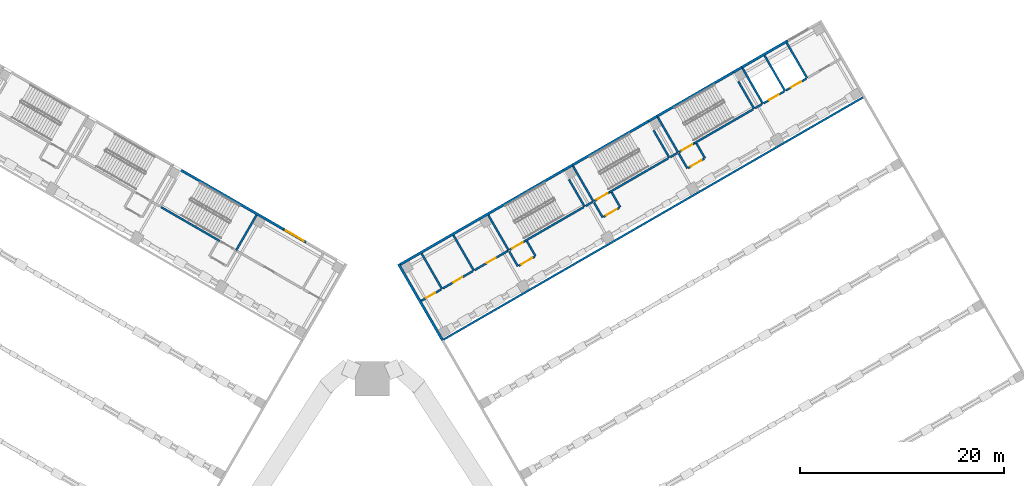
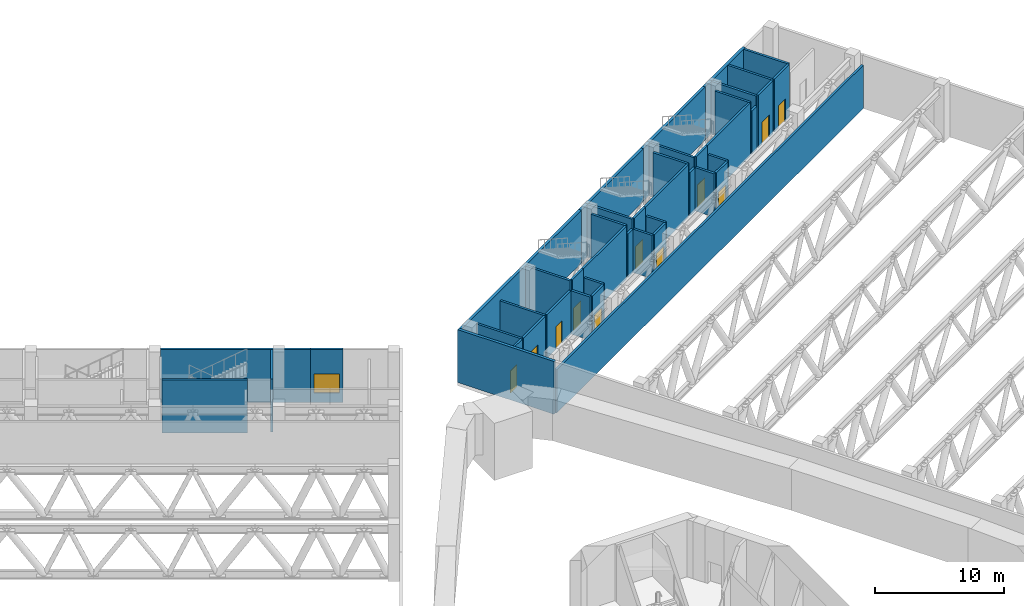
# One storey, part 21 of 37: 47 walls, 11 doors, 1 window, 12 openings.
"""IFC4 building model written with IfcOpenShell, lengths in metres."""

from ifc_helpers import new_model, si_unit, direction, frame, frame_2d, origin, place, context, subcontext, project, spatial, rectangle, extrude, material, layer, layer_set, type_object, element, fill, save


model = new_model("IFC4")

# Units and contexts
model_context = context("Model", 3, precision=1e-05, world=origin(), true_north=direction((0.0, 1.0)))
body_context = subcontext(model_context, "Body", "Model", "MODEL_VIEW")
ifc_project = project(units=[si_unit("LENGTHUNIT", "METRE"), si_unit("AREAUNIT", "SQUARE_METRE"), si_unit("VOLUMEUNIT", "CUBIC_METRE"), si_unit("PLANEANGLEUNIT", "RADIAN"), si_unit("MASSUNIT", "GRAM", prefix="KILO")], contexts=[model_context])

# Site, building, storey
site_placement = place(None, origin())
site = spatial("IfcSite", under=ifc_project, at=site_placement, CompositionType="ELEMENT")
building_placement = place(site_placement, origin())
building = spatial("IfcBuilding", under=site, at=building_placement, Name="Mestral Congress Tower", CompositionType="ELEMENT")
storey_placement = place(building_placement, frame((0.0, 0.0, 16.199951171875)))
storey = spatial("IfcBuildingStorey", under=building, at=storey_placement, Name="L03", CompositionType="ELEMENT", Elevation=16.199951171875)

# Walls
ifc_material_1 = material(Name="Precast concrete C40/50 with limestone facing", Category="masonry")
ifc_layer_1 = layer(ifc_material_1, 0.25)
ifc_layer_set_1 = layer_set([ifc_layer_1], Name="Precast concrete C40/50 with limestone facing")
wall_type_1 = type_object("IfcWallType", Name="Podium external wall 250", PredefinedType="SOLIDWALL", material=ifc_layer_set_1)
wall_1_placement = place(storey_placement, frame((6.875, 40.197998046875, 0.0), z_axis=(0.0, 0.0, 1.0), x_axis=(-0.499999331568, 0.866025789703, 0.0)))
element("IfcWall", 1, at=wall_1_placement, inside=storey, type_object=wall_type_1, Name="L03 external wall", PredefinedType="SOLIDWALL", context=body_context, shape_type="SweptSolid", body=[
    extrude(rectangle(XDim=8.625, YDim=0.25, at=frame_2d((4.3125, 0.0))), origin(), (0.0, 0.0, 1.0), 5.0),
])
wall_2_placement = place(storey_placement, frame((2.7333984375, 47.621826171875, 0.0), z_axis=(0.0, 0.0, 1.0), x_axis=(0.866025598446, 0.499999662836, 0.0)))
element("IfcWall", 2, at=wall_2_placement, inside=storey, type_object=wall_type_1, Name="L03 external wall", PredefinedType="SOLIDWALL", context=body_context, shape_type="SweptSolid", body=[
    extrude(rectangle(XDim=18.5, YDim=0.25, at=frame_2d((9.25, 0.0))), origin(), (0.0, 0.0, 1.0), 5.0),
])
wall_3_placement = place(storey_placement, frame((19.620849609375, 57.371826171875, 0.0), z_axis=(0.0, 0.0, 1.0), x_axis=(0.866021068297, 0.500007509209, 0.0)))
element("IfcWall", 3, at=wall_3_placement, inside=storey, type_object=wall_type_1, Name="L03 external wall", PredefinedType="SOLIDWALL", context=body_context, shape_type="SweptSolid", body=[
    extrude(rectangle(XDim=8.599853515625, YDim=0.25, at=frame_2d((4.2998046875, 0.0))), origin(), (0.0, 0.0, 1.0), 5.0),
])
wall_4_placement = place(storey_placement, frame((27.9345703125, 62.171875, 0.0), z_axis=(0.0, 0.0, 1.0), x_axis=(0.86604045752, 0.499973925258, 0.0)))
element("IfcWall", 4, at=wall_4_placement, inside=storey, type_object=wall_type_1, Name="L03 external wall", PredefinedType="SOLIDWALL", context=body_context, shape_type="SweptSolid", body=[
    extrude(rectangle(XDim=8.60009765625, YDim=0.25, at=frame_2d((4.300048828125, 0.0))), origin(), (0.0, 0.0, 1.0), 5.0),
])
wall_5_placement = place(storey_placement, frame((36.24853515625, 66.9716796875, 0.0), z_axis=(0.0, 0.0, 1.0), x_axis=(0.866009661879, 0.500027264788, 0.0)))
element("IfcWall", 5, at=wall_5_placement, inside=storey, type_object=wall_type_1, Name="L03 external wall", PredefinedType="SOLIDWALL", context=body_context, shape_type="SweptSolid", body=[
    extrude(rectangle(XDim=5.199951171875, YDim=0.25, at=frame_2d((2.60009765625, 0.0))), origin(), (0.0, 0.0, 1.0), 5.0),
])
for number, where, z_axis, x_axis, name in (
    (6, (18.7548828125, 56.871826171875, 0.0), (0.0, 0.0, 1.0), (0.866010750942, 0.50002537861, 0.0), "L03 external wall"),
    (7, (27.068603515625, 61.671875, 0.0), (0.0, 0.0, 1.0), (0.866010750942, 0.50002537861, 0.0), "L03 external wall"),
    (8, (35.382568359375, 66.4716796875, 0.0), (0.0, 0.0, 1.0), (0.866010750942, 0.50002537861, 0.0), "L03 external wall"),
):
    element("IfcWall", number, at=place(storey_placement, frame(where, z_axis=z_axis, x_axis=x_axis)), inside=storey, type_object=wall_type_1, Name=name, PredefinedType="SOLIDWALL", context=body_context, shape_type="SweptSolid", body=[
        extrude(rectangle(XDim=1.0, YDim=0.25, at=frame_2d((0.5, 0.0))), origin(), (0.0, 0.0, 1.0), 5.0),
    ])

# Wall, opening, window
wall_6_placement = place(storey_placement, frame((-8.687255859375, 51.05908203125, 0.0), z_axis=(0.0, 0.0, 1.0), x_axis=(0.866022959057, -0.500004234368, 0.0)))
wall_6 = element("IfcWall", 9, at=wall_6_placement, inside=storey, type_object=wall_type_1, Name="L03 external wall", PredefinedType="SOLIDWALL", context=body_context, shape_type="SweptSolid", body=[
    extrude(rectangle(XDim=2.5, YDim=0.25, at=frame_2d((1.25, 0.0))), origin(), (0.0, 0.0, 1.0), 5.0),
])
opening_1_placement = place(wall_6_placement, frame((0.25, 0.0, 0.89990234375)))
opening_1 = element("IfcOpeningElement", 10, at=opening_1_placement, cuts=wall_6, Name="Opening PW-2000x1800", PredefinedType="OPENING", context=body_context, shape_type="SweptSolid", body=[
    extrude(rectangle(XDim=2.0, YDim=1.800048828125, at=frame_2d((1.0, 0.89990234375))), frame((0.0, 0.135009765625, 0.0), z_axis=(0.0, -1.0, 0.0), x_axis=(1.0, 0.0, 0.0)), (0.0, 0.0, 1.0), 0.27001953125),
])
ifc_material_2 = material(Name="Aluminium frame, clear double glazing", Category="aluminium")
window_type = type_object("IfcWindowType", Name="Podium window 2000x1800 sill 900", PartitioningType="SINGLE_PANEL", PredefinedType="WINDOW", material=ifc_material_2)
window_placement = place(opening_1_placement, origin())
window = element("IfcWindow", 11, at=window_placement, inside=storey, type_object=window_type, Name="Window", OverallHeight=1.800048828125, OverallWidth=2.0, PartitioningType="SINGLE_PANEL", PredefinedType="WINDOW", context=body_context, shape_type="SweptSolid", body=[
    extrude(rectangle(XDim=2.0, YDim=1.800048828125, at=frame_2d((1.0, 0.89990234375))), frame((0.0, 0.030029296875, 0.0), z_axis=(0.0, -1.0, 0.0), x_axis=(1.0, 0.0, 0.0)), (0.0, 0.0, 1.0), 0.06005859375),
])
fill(opening_1, window)

# Walls
wall_7_placement = place(storey_placement, frame((-18.7548828125, 56.87158203125, 0.0), z_axis=(0.0, 0.0, 1.0), x_axis=(0.866027159341, -0.499996959274, 0.0)))
element("IfcWall", 12, at=wall_7_placement, inside=storey, type_object=wall_type_1, Name="L03 external wall", PredefinedType="SOLIDWALL", context=body_context, shape_type="SweptSolid", body=[
    extrude(rectangle(XDim=11.625, YDim=0.25, at=frame_2d((5.8125, 0.0))), origin(), (0.0, 0.0, 1.0), 5.0),
])
ifc_material_3 = material(Name="Masonry block wall", Category="masonry")
ifc_layer_2 = layer(ifc_material_3, 0.199951171875)
ifc_layer_set_2 = layer_set([ifc_layer_2], Name="Masonry block wall")
wall_type_2 = type_object("IfcWallType", Name="Podium stair enclosure wall 200 EI 120 load-bearing", PredefinedType="SOLIDWALL", material=ifc_layer_set_2)
wall_8_placement = place(storey_placement, frame((13.369384765625, 48.99951171875, 0.0), z_axis=(0.0, 0.0, 1.0), x_axis=(-0.50002537861, 0.866010750942, 0.0)))
element("IfcWall", 13, at=wall_8_placement, inside=storey, type_object=wall_type_2, Name="L03 partition", PredefinedType="SOLIDWALL", context=body_context, shape_type="SweptSolid", body=[
    extrude(rectangle(XDim=3.999755859375, YDim=0.199951171875, at=frame_2d((2.0, 0.0))), origin(), (0.0, 0.0, 1.0), 5.0),
])
wall_9_placement = place(storey_placement, frame((20.8173828125, 53.29931640625, 0.0), z_axis=(0.0, 0.0, 1.0), x_axis=(-0.49999285859, 0.86602952684, 0.0)))
element("IfcWall", 14, at=wall_9_placement, inside=storey, type_object=wall_type_2, Name="L03 partition", PredefinedType="SOLIDWALL", context=body_context, shape_type="SweptSolid", body=[
    extrude(rectangle(XDim=3.10009765625, YDim=0.199951171875, at=frame_2d((1.550048828125, 0.0))), origin(), (0.0, 0.0, 1.0), 5.0),
])
wall_10_placement = place(storey_placement, frame((21.683349609375, 53.79931640625, 0.0), z_axis=(0.0, 0.0, 1.0), x_axis=(-0.49999894854, 0.866026010844, 0.0)))
element("IfcWall", 15, at=wall_10_placement, inside=storey, type_object=wall_type_2, Name="L03 partition", PredefinedType="SOLIDWALL", context=body_context, shape_type="SweptSolid", body=[
    extrude(rectangle(XDim=4.0, YDim=0.199951171875, at=frame_2d((2.0, 0.0))), origin(), (0.0, 0.0, 1.0), 5.0),
])
wall_11_placement = place(storey_placement, frame((29.131103515625, 58.099365234375, 0.0), z_axis=(0.0, 0.0, 1.0), x_axis=(-0.49999285859, 0.86602952684, 0.0)))
element("IfcWall", 16, at=wall_11_placement, inside=storey, type_object=wall_type_2, Name="L03 partition", PredefinedType="SOLIDWALL", context=body_context, shape_type="SweptSolid", body=[
    extrude(rectangle(XDim=3.10009765625, YDim=0.199951171875, at=frame_2d((1.550048828125, 0.0))), origin(), (0.0, 0.0, 1.0), 5.0),
])
wall_12_placement = place(storey_placement, frame((29.9970703125, 58.599365234375, 0.0), z_axis=(0.0, 0.0, 1.0), x_axis=(-0.49999894854, 0.866026010844, 0.0)))
element("IfcWall", 17, at=wall_12_placement, inside=storey, type_object=wall_type_2, Name="L03 partition", PredefinedType="SOLIDWALL", context=body_context, shape_type="SweptSolid", body=[
    extrude(rectangle(XDim=4.0, YDim=0.199951171875, at=frame_2d((2.0, 0.0))), origin(), (0.0, 0.0, 1.0), 5.0),
])
wall_13_placement = place(storey_placement, frame((37.445068359375, 62.8994140625, 0.0), z_axis=(0.0, 0.0, 1.0), x_axis=(-0.500026960575, 0.86600983753, 0.0)))
element("IfcWall", 18, at=wall_13_placement, inside=storey, type_object=wall_type_2, Name="L03 partition", PredefinedType="SOLIDWALL", context=body_context, shape_type="SweptSolid", body=[
    extrude(rectangle(XDim=3.099853515625, YDim=0.199951171875, at=frame_2d((1.5498046875, 0.0))), origin(), (0.0, 0.0, 1.0), 5.0),
])

# Wall, opening, door
wall_14_placement = place(storey_placement, frame((13.4560546875, 49.04931640625, 0.0), z_axis=(0.0, 0.0, 1.0), x_axis=(0.866036909293, 0.499980071345, 0.0)))
wall_14 = element("IfcWall", 19, at=wall_14_placement, inside=storey, type_object=wall_type_2, Name="L03 partition", PredefinedType="SOLIDWALL", context=body_context, shape_type="SweptSolid", body=[
    extrude(rectangle(XDim=1.75, YDim=0.199951171875, at=frame_2d((0.875, 0.0))), origin(), (0.0, 0.0, 1.0), 5.0),
])
opening_2_placement = place(wall_14_placement, frame((0.300048828125, 0.0, 0.0)))
opening_2 = element("IfcOpeningElement", 20, at=opening_2_placement, cuts=wall_14, Name="Opening P03-004", PredefinedType="OPENING", context=body_context, shape_type="SweptSolid", body=[
    extrude(rectangle(XDim=1.199951171875, YDim=2.10009765625, at=frame_2d((0.60009765625, 1.050048828125))), frame((0.0, 0.10986328125, 0.0), z_axis=(0.0, -1.0, 0.0), x_axis=(1.0, 0.0, 0.0)), (0.0, 0.0, 1.0), 0.219970703125),
])
ifc_material_4 = material(Name="Fire-rated steel door set", Category="steel")
door_type_1 = type_object("IfcDoorType", Name="Podium stair door 1200x2100 EI2 30-C5", OperationType="SINGLE_SWING_LEFT", PredefinedType="DOOR", material=ifc_material_4)
door_1_placement = place(opening_2_placement, origin())
door_1 = element("IfcDoor", 21, at=door_1_placement, inside=storey, type_object=door_type_1, Name="Door P03-004", OperationType="SINGLE_SWING_LEFT", OverallHeight=2.10009765625, OverallWidth=1.199951171875, PredefinedType="DOOR", context=body_context, shape_type="SweptSolid", body=[
    extrude(rectangle(XDim=1.199951171875, YDim=2.10009765625, at=frame_2d((0.60009765625, 1.050048828125))), frame((0.0, 0.02490234375, 0.0), z_axis=(0.0, -1.0, 0.0), x_axis=(1.0, 0.0, 0.0)), (0.0, 0.0, 1.0), 0.050048828125),
])
fill(opening_2, door_1)

# Wall
wall_15_placement = place(storey_placement, frame((14.9716796875, 49.92431640625, 0.0), z_axis=(0.0, 0.0, 1.0), x_axis=(0.86601134256, 0.500024353964, 0.0)))
element("IfcWall", 22, at=wall_15_placement, inside=storey, type_object=wall_type_2, Name="L03 partition", PredefinedType="SOLIDWALL", context=body_context, shape_type="SweptSolid", body=[
    extrude(rectangle(XDim=6.650146484375, YDim=0.199951171875, at=frame_2d((3.3251953125, 0.0))), origin(), (0.0, 0.0, 1.0), 5.0),
])

# Wall, opening, door
wall_16_placement = place(storey_placement, frame((21.77001953125, 53.849365234375, 0.0), z_axis=(0.0, 0.0, 1.0), x_axis=(0.866002029911, 0.500040482552, 0.0)))
wall_16 = element("IfcWall", 23, at=wall_16_placement, inside=storey, type_object=wall_type_2, Name="L03 partition", PredefinedType="SOLIDWALL", context=body_context, shape_type="SweptSolid", body=[
    extrude(rectangle(XDim=1.749755859375, YDim=0.199951171875, at=frame_2d((0.875, 0.0))), origin(), (0.0, 0.0, 1.0), 5.0),
])
opening_3_placement = place(wall_16_placement, frame((0.300048828125, 0.0, 0.0)))
opening_3 = element("IfcOpeningElement", 24, at=opening_3_placement, cuts=wall_16, Name="Opening P03-005", PredefinedType="OPENING", context=body_context, shape_type="SweptSolid", body=[
    extrude(rectangle(XDim=1.199951171875, YDim=2.10009765625, at=frame_2d((0.60009765625, 1.050048828125))), frame((0.0, 0.10986328125, 0.0), z_axis=(0.0, -1.0, 0.0), x_axis=(1.0, 0.0, 0.0)), (0.0, 0.0, 1.0), 0.219970703125),
])
door_2_placement = place(opening_3_placement, origin())
door_2 = element("IfcDoor", 25, at=door_2_placement, inside=storey, type_object=door_type_1, Name="Door P03-005", OperationType="SINGLE_SWING_LEFT", OverallHeight=2.10009765625, OverallWidth=1.199951171875, PredefinedType="DOOR", context=body_context, shape_type="SweptSolid", body=[
    extrude(rectangle(XDim=1.199951171875, YDim=2.10009765625, at=frame_2d((0.60009765625, 1.050048828125))), frame((0.0, 0.02490234375, 0.0), z_axis=(0.0, -1.0, 0.0), x_axis=(1.0, 0.0, 0.0)), (0.0, 0.0, 1.0), 0.050048828125),
])
fill(opening_3, door_2)

# Wall
wall_17_placement = place(storey_placement, frame((23.285400390625, 54.724365234375, 0.0), z_axis=(0.0, 0.0, 1.0), x_axis=(0.866027239912, 0.49999681972, 0.0)))
element("IfcWall", 26, at=wall_17_placement, inside=storey, type_object=wall_type_2, Name="L03 partition", PredefinedType="SOLIDWALL", context=body_context, shape_type="SweptSolid", body=[
    extrude(rectangle(XDim=6.64990234375, YDim=0.199951171875, at=frame_2d((3.324951171875, 0.0))), origin(), (0.0, 0.0, 1.0), 5.0),
])

# Wall, opening, door
wall_18_placement = place(storey_placement, frame((30.083740234375, 58.6494140625, 0.0), z_axis=(0.0, 0.0, 1.0), x_axis=(0.866036909293, 0.499980071345, 0.0)))
wall_18 = element("IfcWall", 27, at=wall_18_placement, inside=storey, type_object=wall_type_2, Name="L03 partition", PredefinedType="SOLIDWALL", context=body_context, shape_type="SweptSolid", body=[
    extrude(rectangle(XDim=1.75, YDim=0.199951171875, at=frame_2d((0.875, 0.0))), origin(), (0.0, 0.0, 1.0), 5.0),
])
opening_4_placement = place(wall_18_placement, frame((0.300048828125, 0.0, 0.0)))
opening_4 = element("IfcOpeningElement", 28, at=opening_4_placement, cuts=wall_18, Name="Opening P03-006", PredefinedType="OPENING", context=body_context, shape_type="SweptSolid", body=[
    extrude(rectangle(XDim=1.199951171875, YDim=2.10009765625, at=frame_2d((0.60009765625, 1.050048828125))), frame((0.0, 0.10986328125, 0.0), z_axis=(0.0, -1.0, 0.0), x_axis=(1.0, 0.0, 0.0)), (0.0, 0.0, 1.0), 0.219970703125),
])
door_3_placement = place(opening_4_placement, origin())
door_3 = element("IfcDoor", 29, at=door_3_placement, inside=storey, type_object=door_type_1, Name="Door P03-006", OperationType="SINGLE_SWING_LEFT", OverallHeight=2.10009765625, OverallWidth=1.199951171875, PredefinedType="DOOR", context=body_context, shape_type="SweptSolid", body=[
    extrude(rectangle(XDim=1.199951171875, YDim=2.10009765625, at=frame_2d((0.60009765625, 1.050048828125))), frame((0.0, 0.02490234375, 0.0), z_axis=(0.0, -1.0, 0.0), x_axis=(1.0, 0.0, 0.0)), (0.0, 0.0, 1.0), 0.050048828125),
])
fill(opening_4, door_3)

# Walls
wall_19_placement = place(storey_placement, frame((31.599365234375, 59.5244140625, 0.0), z_axis=(0.0, 0.0, 1.0), x_axis=(0.866027239912, 0.49999681972, 0.0)))
element("IfcWall", 30, at=wall_19_placement, inside=storey, type_object=wall_type_2, Name="L03 partition", PredefinedType="SOLIDWALL", context=body_context, shape_type="SweptSolid", body=[
    extrude(rectangle(XDim=6.64990234375, YDim=0.199951171875, at=frame_2d((3.324951171875, 0.0))), origin(), (0.0, 0.0, 1.0), 5.0),
])
for number, where, z_axis, x_axis, name in (
    (31, (38.31103515625, 63.3994140625, 0.0), (0.0, 0.0, 1.0), (-0.49999894854, 0.866026010844, 0.0), "L03 partition"),
    (32, (40.47607421875, 64.6494140625, 0.0), (0.0, 0.0, 1.0), (-0.49999894854, 0.866026010844, 0.0), "L03 partition"),
    (33, (42.64111328125, 65.8994140625, 0.0), (0.0, 0.0, 1.0), (-0.49999894854, 0.866026010844, 0.0), "L03 partition"),
):
    element("IfcWall", number, at=place(storey_placement, frame(where, z_axis=z_axis, x_axis=x_axis)), inside=storey, type_object=wall_type_2, Name=name, PredefinedType="SOLIDWALL", context=body_context, shape_type="SweptSolid", body=[
        extrude(rectangle(XDim=4.0, YDim=0.199951171875, at=frame_2d((2.0, 0.0))), origin(), (0.0, 0.0, 1.0), 5.0),
    ])

# Wall, opening, door
wall_20_placement = place(storey_placement, frame((38.397705078125, 63.449462890625, 0.0), z_axis=(0.0, 0.0, 1.0), x_axis=(0.86602648383, 0.499998129301, 0.0)))
wall_20 = element("IfcWall", 34, at=wall_20_placement, inside=storey, type_object=wall_type_2, Name="L03 partition", PredefinedType="SOLIDWALL", context=body_context, shape_type="SweptSolid", body=[
    extrude(rectangle(XDim=2.2998046875, YDim=0.199951171875, at=frame_2d((1.14990234375, 0.0))), origin(), (0.0, 0.0, 1.0), 5.0),
])
opening_5_placement = place(wall_20_placement, frame((0.60009765625, 0.0, 0.0)))
opening_5 = element("IfcOpeningElement", 35, at=opening_5_placement, cuts=wall_20, Name="Opening P03-009", PredefinedType="OPENING", context=body_context, shape_type="SweptSolid", body=[
    extrude(rectangle(XDim=1.10009765625, YDim=2.10009765625, at=frame_2d((0.550048828125, 1.050048828125))), frame((0.0, 0.10986328125, 0.0), z_axis=(0.0, -1.0, 0.0), x_axis=(1.0, 0.0, 0.0)), (0.0, 0.0, 1.0), 0.219970703125),
])
door_type_2 = type_object("IfcDoorType", Name="Podium lift landing door 1100x2100 EI2 60-C5", OperationType="DOUBLE_DOOR_SLIDING", PredefinedType="DOOR", material=ifc_material_4)
door_4_placement = place(opening_5_placement, origin())
door_4 = element("IfcDoor", 36, at=door_4_placement, inside=storey, type_object=door_type_2, Name="Door P03-009", OperationType="DOUBLE_DOOR_SLIDING", OverallHeight=2.10009765625, OverallWidth=1.10009765625, PredefinedType="DOOR", context=body_context, shape_type="SweptSolid", body=[
    extrude(rectangle(XDim=1.10009765625, YDim=2.10009765625, at=frame_2d((0.550048828125, 1.050048828125))), frame((0.0, 0.02490234375, 0.0), z_axis=(0.0, -1.0, 0.0), x_axis=(1.0, 0.0, 0.0)), (0.0, 0.0, 1.0), 0.050048828125),
])
fill(opening_5, door_4)

wall_21_placement = place(storey_placement, frame((40.562744140625, 64.699462890625, 0.0), z_axis=(0.0, 0.0, 1.0), x_axis=(0.86602648383, 0.499998129301, 0.0)))
wall_21 = element("IfcWall", 37, at=wall_21_placement, inside=storey, type_object=wall_type_2, Name="L03 partition", PredefinedType="SOLIDWALL", context=body_context, shape_type="SweptSolid", body=[
    extrude(rectangle(XDim=2.2998046875, YDim=0.199951171875, at=frame_2d((1.14990234375, 0.0))), origin(), (0.0, 0.0, 1.0), 5.0),
])
opening_6_placement = place(wall_21_placement, frame((0.60009765625, 0.0, 0.0)))
opening_6 = element("IfcOpeningElement", 38, at=opening_6_placement, cuts=wall_21, Name="Opening P03-010", PredefinedType="OPENING", context=body_context, shape_type="SweptSolid", body=[
    extrude(rectangle(XDim=1.10009765625, YDim=2.10009765625, at=frame_2d((0.550048828125, 1.050048828125))), frame((0.0, 0.10986328125, 0.0), z_axis=(0.0, -1.0, 0.0), x_axis=(1.0, 0.0, 0.0)), (0.0, 0.0, 1.0), 0.219970703125),
])
door_5_placement = place(opening_6_placement, origin())
door_5 = element("IfcDoor", 39, at=door_5_placement, inside=storey, type_object=door_type_2, Name="Door P03-010", OperationType="DOUBLE_DOOR_SLIDING", OverallHeight=2.10009765625, OverallWidth=1.10009765625, PredefinedType="DOOR", context=body_context, shape_type="SweptSolid", body=[
    extrude(rectangle(XDim=1.10009765625, YDim=2.10009765625, at=frame_2d((0.550048828125, 1.050048828125))), frame((0.0, 0.02490234375, 0.0), z_axis=(0.0, -1.0, 0.0), x_axis=(1.0, 0.0, 0.0)), (0.0, 0.0, 1.0), 0.050048828125),
])
fill(opening_6, door_5)

# Walls
wall_22_placement = place(storey_placement, frame((-11.369384765625, 52.46337890625, 0.0), z_axis=(0.0, 0.0, 1.0), x_axis=(-0.50002537861, -0.866010750942, 0.0)))
element("IfcWall", 40, at=wall_22_placement, inside=storey, type_object=wall_type_2, Name="L03 partition", PredefinedType="SOLIDWALL", context=body_context, shape_type="SweptSolid", body=[
    extrude(rectangle(XDim=3.999755859375, YDim=0.199951171875, at=frame_2d((2.0, 0.0))), origin(), (0.0, 0.0, 1.0), 5.0),
])
wall_23_placement = place(storey_placement, frame((-14.9716796875, 49.92431640625, 0.0), z_axis=(0.0, 0.0, 1.0), x_axis=(-0.86601134256, 0.500024353964, 0.0)))
element("IfcWall", 41, at=wall_23_placement, inside=storey, type_object=wall_type_2, Name="L03 partition", PredefinedType="SOLIDWALL", context=body_context, shape_type="SweptSolid", body=[
    extrude(rectangle(XDim=6.650146484375, YDim=0.199951171875, at=frame_2d((3.3251953125, 0.0))), origin(), (0.0, 0.0, 1.0), 5.0),
])
ifc_material_5 = material(Name="Fire-rated board partition")
ifc_layer_3 = layer(ifc_material_5, 0.199951171875)
ifc_layer_set_3 = layer_set([ifc_layer_3], Name="Fire-rated board partition")
wall_type_3 = type_object("IfcWallType", Name="Podium vestibule wall 200 EI 120", PredefinedType="PARTITIONING", material=ifc_layer_set_3)
for number, where, z_axis, x_axis, name in (
    (42, (14.26953125, 47.440673828125, 0.0), (0.0, 0.0, 1.0), (-0.500062241894, 0.865989465428, 0.0), "L03 partition"),
    (43, (16.00146484375, 48.440673828125, 0.0), (0.0, 0.0, 1.0), (-0.499954529098, 0.86605165483, 0.0), "L03 partition"),
    (44, (22.583251953125, 52.240478515625, 0.0), (0.0, 0.0, 1.0), (-0.499892348375, 0.866087547558, 0.0), "L03 partition"),
):
    element("IfcWall", number, at=place(storey_placement, frame(where, z_axis=z_axis, x_axis=x_axis)), inside=storey, type_object=wall_type_3, Name=name, PredefinedType="PARTITIONING", context=body_context, shape_type="SweptSolid", body=[
        extrude(rectangle(XDim=1.699951171875, YDim=0.199951171875, at=frame_2d((0.85009765625, 0.0))), origin(), (0.0, 0.0, 1.0), 4.10009765625),
    ])
wall_24_placement = place(storey_placement, frame((24.3154296875, 53.240478515625, 0.0), z_axis=(0.0, 0.0, 1.0), x_axis=(-0.500000056704, 0.866025371046, 0.0)))
element("IfcWall", 45, at=wall_24_placement, inside=storey, type_object=wall_type_3, Name="L03 partition", PredefinedType="PARTITIONING", context=body_context, shape_type="SweptSolid", body=[
    extrude(rectangle(XDim=1.7001953125, YDim=0.199951171875, at=frame_2d((0.85009765625, 0.0))), origin(), (0.0, 0.0, 1.0), 4.10009765625),
])
for number, where, z_axis, x_axis, name in (
    (46, (30.897216796875, 57.04052734375, 0.0), (0.0, 0.0, 1.0), (-0.500062241894, 0.865989465428, 0.0), "L03 partition"),
    (47, (32.629150390625, 58.04052734375, 0.0), (0.0, 0.0, 1.0), (-0.499954529098, 0.86605165483, 0.0), "L03 partition"),
):
    element("IfcWall", number, at=place(storey_placement, frame(where, z_axis=z_axis, x_axis=x_axis)), inside=storey, type_object=wall_type_3, Name=name, PredefinedType="PARTITIONING", context=body_context, shape_type="SweptSolid", body=[
        extrude(rectangle(XDim=1.699951171875, YDim=0.199951171875, at=frame_2d((0.85009765625, 0.0))), origin(), (0.0, 0.0, 1.0), 4.10009765625),
    ])

# Wall, opening, door
wall_25_placement = place(storey_placement, frame((14.356201171875, 47.490478515625, 0.0), z_axis=(0.0, 0.0, 1.0), x_axis=(0.865955154139, 0.50012165622, 0.0)))
wall_25 = element("IfcWall", 48, at=wall_25_placement, inside=storey, type_object=wall_type_3, Name="L03 partition", PredefinedType="PARTITIONING", context=body_context, shape_type="SweptSolid", body=[
    extrude(rectangle(XDim=1.7998046875, YDim=0.199951171875, at=frame_2d((0.89990234375, 0.0))), origin(), (0.0, 0.0, 1.0), 4.10009765625),
])
opening_7_placement = place(wall_25_placement, frame((0.300048828125, 0.0, 0.0)))
opening_7 = element("IfcOpeningElement", 49, at=opening_7_placement, cuts=wall_25, Name="Opening P03-014", PredefinedType="OPENING", context=body_context, shape_type="SweptSolid", body=[
    extrude(rectangle(XDim=1.199951171875, YDim=2.10009765625, at=frame_2d((0.60009765625, 1.050048828125))), frame((0.0, 0.10986328125, 0.0), z_axis=(0.0, -1.0, 0.0), x_axis=(1.0, 0.0, 0.0)), (0.0, 0.0, 1.0), 0.219970703125),
])
door_type_3 = type_object("IfcDoorType", Name="Podium vestibule door 1200x2100 EI2 30-C5", OperationType="SINGLE_SWING_LEFT", PredefinedType="DOOR", material=ifc_material_4)
door_6_placement = place(opening_7_placement, origin())
door_6 = element("IfcDoor", 50, at=door_6_placement, inside=storey, type_object=door_type_3, Name="Door P03-014", OperationType="SINGLE_SWING_LEFT", OverallHeight=2.10009765625, OverallWidth=1.199951171875, PredefinedType="DOOR", context=body_context, shape_type="SweptSolid", body=[
    extrude(rectangle(XDim=1.199951171875, YDim=2.10009765625, at=frame_2d((0.60009765625, 1.050048828125))), frame((0.0, 0.02490234375, 0.0), z_axis=(0.0, -1.0, 0.0), x_axis=(1.0, 0.0, 0.0)), (0.0, 0.0, 1.0), 0.050048828125),
])
fill(opening_7, door_6)

wall_26_placement = place(storey_placement, frame((22.669921875, 52.29052734375, 0.0), z_axis=(0.0, 0.0, 1.0), x_axis=(0.865989075817, 0.500062916607, 0.0)))
wall_26 = element("IfcWall", 51, at=wall_26_placement, inside=storey, type_object=wall_type_3, Name="L03 partition", PredefinedType="PARTITIONING", context=body_context, shape_type="SweptSolid", body=[
    extrude(rectangle(XDim=1.800048828125, YDim=0.199951171875, at=frame_2d((0.89990234375, 0.0))), origin(), (0.0, 0.0, 1.0), 4.10009765625),
])
opening_8_placement = place(wall_26_placement, frame((0.300048828125, 0.0, 0.0)))
opening_8 = element("IfcOpeningElement", 52, at=opening_8_placement, cuts=wall_26, Name="Opening P03-015", PredefinedType="OPENING", context=body_context, shape_type="SweptSolid", body=[
    extrude(rectangle(XDim=1.199951171875, YDim=2.10009765625, at=frame_2d((0.60009765625, 1.050048828125))), frame((0.0, 0.10986328125, 0.0), z_axis=(0.0, -1.0, 0.0), x_axis=(1.0, 0.0, 0.0)), (0.0, 0.0, 1.0), 0.219970703125),
])
door_7_placement = place(opening_8_placement, origin())
door_7 = element("IfcDoor", 53, at=door_7_placement, inside=storey, type_object=door_type_3, Name="Door P03-015", OperationType="SINGLE_SWING_LEFT", OverallHeight=2.10009765625, OverallWidth=1.199951171875, PredefinedType="DOOR", context=body_context, shape_type="SweptSolid", body=[
    extrude(rectangle(XDim=1.199951171875, YDim=2.10009765625, at=frame_2d((0.60009765625, 1.050048828125))), frame((0.0, 0.02490234375, 0.0), z_axis=(0.0, -1.0, 0.0), x_axis=(1.0, 0.0, 0.0)), (0.0, 0.0, 1.0), 0.050048828125),
])
fill(opening_8, door_7)

wall_27_placement = place(storey_placement, frame((30.983642578125, 57.090576171875, 0.0), z_axis=(0.0, 0.0, 1.0), x_axis=(0.866047807691, 0.499961193289, 0.0)))
wall_27 = element("IfcWall", 54, at=wall_27_placement, inside=storey, type_object=wall_type_3, Name="L03 partition", PredefinedType="PARTITIONING", context=body_context, shape_type="SweptSolid", body=[
    extrude(rectangle(XDim=1.800048828125, YDim=0.199951171875, at=frame_2d((0.89990234375, 0.0))), origin(), (0.0, 0.0, 1.0), 4.10009765625),
])
opening_9_placement = place(wall_27_placement, frame((0.300048828125, 0.0, 0.0)))
opening_9 = element("IfcOpeningElement", 55, at=opening_9_placement, cuts=wall_27, Name="Opening P03-016", PredefinedType="OPENING", context=body_context, shape_type="SweptSolid", body=[
    extrude(rectangle(XDim=1.199951171875, YDim=2.10009765625, at=frame_2d((0.60009765625, 1.050048828125))), frame((0.0, 0.10986328125, 0.0), z_axis=(0.0, -1.0, 0.0), x_axis=(1.0, 0.0, 0.0)), (0.0, 0.0, 1.0), 0.219970703125),
])
door_8_placement = place(opening_9_placement, origin())
door_8 = element("IfcDoor", 56, at=door_8_placement, inside=storey, type_object=door_type_3, Name="Door P03-016", OperationType="SINGLE_SWING_LEFT", OverallHeight=2.10009765625, OverallWidth=1.199951171875, PredefinedType="DOOR", context=body_context, shape_type="SweptSolid", body=[
    extrude(rectangle(XDim=1.199951171875, YDim=2.10009765625, at=frame_2d((0.60009765625, 1.050048828125))), frame((0.0, 0.02490234375, 0.0), z_axis=(0.0, -1.0, 0.0), x_axis=(1.0, 0.0, 0.0)), (0.0, 0.0, 1.0), 0.050048828125),
])
fill(opening_9, door_8)

# Walls
for number, where, z_axis, x_axis, name in (
    (57, (6.8310546875, 45.224365234375, 0.0), (0.0, 0.0, 1.0), (-0.49999894854, 0.866026010844, 0.0), "L03 partition"),
    (58, (9.94873046875, 47.0244140625, 0.0), (0.0, 0.0, 1.0), (-0.49999894854, 0.866026010844, 0.0), "L03 partition"),
):
    element("IfcWall", number, at=place(storey_placement, frame(where, z_axis=z_axis, x_axis=x_axis)), inside=storey, type_object=wall_type_3, Name=name, PredefinedType="PARTITIONING", context=body_context, shape_type="SweptSolid", body=[
        extrude(rectangle(XDim=4.0, YDim=0.199951171875, at=frame_2d((2.0, 0.0))), origin(), (0.0, 0.0, 1.0), 4.10009765625),
    ])

# Wall, opening, door
wall_28_placement = place(storey_placement, frame((4.7958984375, 44.04931640625, 0.0), z_axis=(0.0, 0.0, 1.0), x_axis=(0.866017533419, 0.500013631625, 0.0)))
wall_28 = element("IfcWall", 59, at=wall_28_placement, inside=storey, type_object=wall_type_3, Name="L03 partition", PredefinedType="PARTITIONING", context=body_context, shape_type="SweptSolid", body=[
    extrude(rectangle(XDim=2.25, YDim=0.199951171875, at=frame_2d((1.125, 0.0))), origin(), (0.0, 0.0, 1.0), 4.10009765625),
])
opening_10_placement = place(wall_28_placement, frame((0.550048828125, 0.0, 0.0)))
opening_10 = element("IfcOpeningElement", 60, at=opening_10_placement, cuts=wall_28, Name="Opening P03-018", PredefinedType="OPENING", context=body_context, shape_type="SweptSolid", body=[
    extrude(rectangle(XDim=1.0, YDim=2.10009765625, at=frame_2d((0.5, 1.050048828125))), frame((0.0, 0.10986328125, 0.0), z_axis=(0.0, -1.0, 0.0), x_axis=(1.0, 0.0, 0.0)), (0.0, 0.0, 1.0), 0.219970703125),
])
door_type_4 = type_object("IfcDoorType", Name="Podium room door 1000x2100 EI2 30-C5", OperationType="SINGLE_SWING_LEFT", PredefinedType="DOOR", material=ifc_material_4)
door_9_placement = place(opening_10_placement, origin())
door_9 = element("IfcDoor", 61, at=door_9_placement, inside=storey, type_object=door_type_4, Name="Door P03-018", OperationType="SINGLE_SWING_LEFT", OverallHeight=2.10009765625, OverallWidth=1.0, PredefinedType="DOOR", context=body_context, shape_type="SweptSolid", body=[
    extrude(rectangle(XDim=1.0, YDim=2.10009765625, at=frame_2d((0.5, 1.050048828125))), frame((0.0, 0.02490234375, 0.0), z_axis=(0.0, -1.0, 0.0), x_axis=(1.0, 0.0, 0.0)), (0.0, 0.0, 1.0), 0.050048828125),
])
fill(opening_10, door_9)

wall_29_placement = place(storey_placement, frame((6.91748046875, 45.2744140625, 0.0), z_axis=(0.0, 0.0, 1.0), x_axis=(0.866038511948, 0.499977295307, 0.0)))
wall_29 = element("IfcWall", 62, at=wall_29_placement, inside=storey, type_object=wall_type_3, Name="L03 partition", PredefinedType="PARTITIONING", context=body_context, shape_type="SweptSolid", body=[
    extrude(rectangle(XDim=3.400146484375, YDim=0.199951171875, at=frame_2d((1.7001953125, 0.0))), origin(), (0.0, 0.0, 1.0), 4.10009765625),
])
opening_11_placement = place(wall_29_placement, frame((1.199951171875, 0.0, 0.0)))
opening_11 = element("IfcOpeningElement", 63, at=opening_11_placement, cuts=wall_29, Name="Opening P03-019", PredefinedType="OPENING", context=body_context, shape_type="SweptSolid", body=[
    extrude(rectangle(XDim=1.0, YDim=2.10009765625, at=frame_2d((0.5, 1.050048828125))), frame((0.0, 0.10986328125, 0.0), z_axis=(0.0, -1.0, 0.0), x_axis=(1.0, 0.0, 0.0)), (0.0, 0.0, 1.0), 0.219970703125),
])
door_10_placement = place(opening_11_placement, origin())
door_10 = element("IfcDoor", 64, at=door_10_placement, inside=storey, type_object=door_type_4, Name="Door P03-019", OperationType="SINGLE_SWING_LEFT", OverallHeight=2.10009765625, OverallWidth=1.0, PredefinedType="DOOR", context=body_context, shape_type="SweptSolid", body=[
    extrude(rectangle(XDim=1.0, YDim=2.10009765625, at=frame_2d((0.5, 1.050048828125))), frame((0.0, 0.02490234375, 0.0), z_axis=(0.0, -1.0, 0.0), x_axis=(1.0, 0.0, 0.0)), (0.0, 0.0, 1.0), 0.050048828125),
])
fill(opening_11, door_10)

wall_30_placement = place(storey_placement, frame((10.035400390625, 47.074462890625, 0.0), z_axis=(0.0, 0.0, 1.0), x_axis=(0.866022959057, 0.500004234368, 0.0)))
wall_30 = element("IfcWall", 65, at=wall_30_placement, inside=storey, type_object=wall_type_3, Name="L03 partition", PredefinedType="PARTITIONING", context=body_context, shape_type="SweptSolid", body=[
    extrude(rectangle(XDim=3.75, YDim=0.199951171875, at=frame_2d((1.875, 0.0))), origin(), (0.0, 0.0, 1.0), 4.10009765625),
])
opening_12_placement = place(wall_30_placement, frame((1.375, 0.0, 0.0)))
opening_12 = element("IfcOpeningElement", 66, at=opening_12_placement, cuts=wall_30, Name="Opening P03-020", PredefinedType="OPENING", context=body_context, shape_type="SweptSolid", body=[
    extrude(rectangle(XDim=1.0, YDim=2.10009765625, at=frame_2d((0.5, 1.050048828125))), frame((0.0, 0.10986328125, 0.0), z_axis=(0.0, -1.0, 0.0), x_axis=(1.0, 0.0, 0.0)), (0.0, 0.0, 1.0), 0.219970703125),
])
door_11_placement = place(opening_12_placement, origin())
door_11 = element("IfcDoor", 67, at=door_11_placement, inside=storey, type_object=door_type_4, Name="Door P03-020", OperationType="SINGLE_SWING_LEFT", OverallHeight=2.10009765625, OverallWidth=1.0, PredefinedType="DOOR", context=body_context, shape_type="SweptSolid", body=[
    extrude(rectangle(XDim=1.0, YDim=2.10009765625, at=frame_2d((0.5, 1.050048828125))), frame((0.0, 0.02490234375, 0.0), z_axis=(0.0, -1.0, 0.0), x_axis=(1.0, 0.0, 0.0)), (0.0, 0.0, 1.0), 0.050048828125),
])
fill(opening_12, door_11)

# Walls
wall_31_placement = place(storey_placement, frame((6.9833984375, 40.260498046875, 0.0), z_axis=(0.0, 0.0, 1.0), x_axis=(0.866024244032, 0.500002008745, 0.0)))
element("IfcWall", 68, at=wall_31_placement, inside=storey, type_object=wall_type_3, Name="L03 partition", PredefinedType="PARTITIONING", context=body_context, shape_type="SweptSolid", body=[
    extrude(rectangle(XDim=47.499755859375, YDim=0.199951171875, at=frame_2d((23.75, 0.0))), origin(), (0.0, 0.0, 1.0), 4.10009765625),
])
wall_32_placement = place(storey_placement, frame((20.90380859375, 53.349365234375, 0.0), z_axis=(0.0, 0.0, 1.0), x_axis=(0.865961984968, 0.500109828528, 0.0)))
element("IfcWall", 69, at=wall_32_placement, inside=storey, type_object=wall_type_3, Name="L03 partition", PredefinedType="PARTITIONING", context=body_context, shape_type="SweptSolid", body=[
    extrude(rectangle(XDim=0.800048828125, YDim=0.199951171875, at=frame_2d((0.39990234375, 0.0))), origin(), (0.0, 0.0, 1.0), 4.10009765625),
])
wall_33_placement = place(storey_placement, frame((29.2177734375, 58.1494140625, 0.0), z_axis=(0.0, 0.0, 1.0), x_axis=(0.866017831539, 0.500013115284, 0.0)))
element("IfcWall", 70, at=wall_33_placement, inside=storey, type_object=wall_type_3, Name="L03 partition", PredefinedType="PARTITIONING", context=body_context, shape_type="SweptSolid", body=[
    extrude(rectangle(XDim=0.7998046875, YDim=0.199951171875, at=frame_2d((0.39990234375, 0.0))), origin(), (0.0, 0.0, 1.0), 4.10009765625),
])
wall_34_placement = place(storey_placement, frame((37.531494140625, 62.949462890625, 0.0), z_axis=(0.0, 0.0, 1.0), x_axis=(0.866094119867, 0.499880961361, 0.0)))
element("IfcWall", 71, at=wall_34_placement, inside=storey, type_object=wall_type_3, Name="L03 partition", PredefinedType="PARTITIONING", context=body_context, shape_type="SweptSolid", body=[
    extrude(rectangle(XDim=0.800048828125, YDim=0.199951171875, at=frame_2d((0.39990234375, 0.0))), origin(), (0.0, 0.0, 1.0), 4.10009765625),
])

save(model, "model.ifc")
